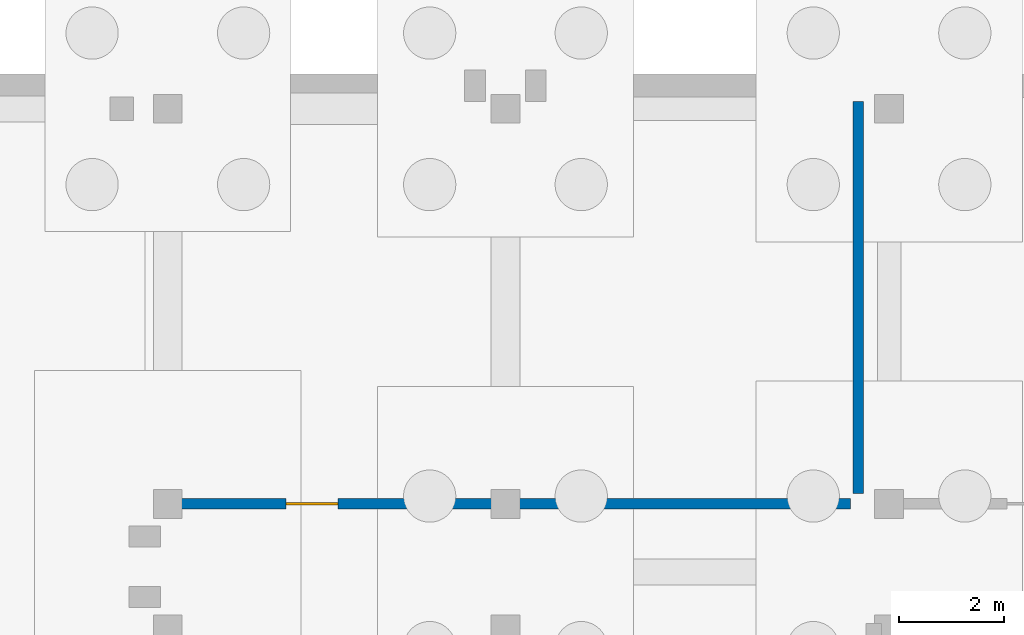
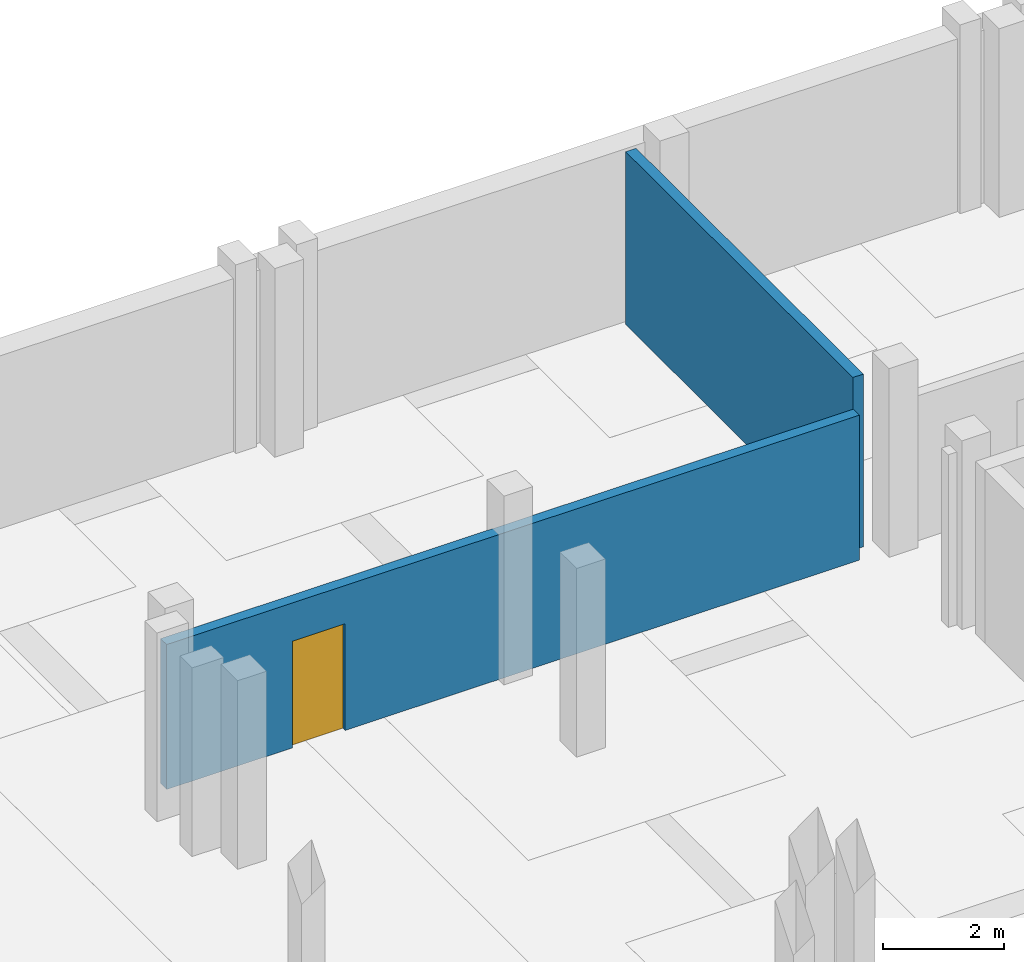
# One storey, part 25 of 38: 2 walls, 1 door, 1 opening.
"""IFC4 building model written with IfcOpenShell, lengths in metres."""

import ifcopenshell
import ifcopenshell.guid

model = None  # the IFC model being written
_history = None  # IfcOwnerHistory: only IFC2X3 demands one
_inside = {}  # id of a spatial element -> (the spatial element, [elements in it])
_under = {}  # id of a project, library or spatial element -> (it, [spatial elements below it])
_declared = {}  # id of a project -> (the project, [libraries it declares])
_typed = {}  # id of a type object -> (the type object, [elements of that type])
_made_of = {}  # id of a material, layer set ... -> (it, [elements and type objects made of it])


def new_model(schema):
    """Start an empty IFC model of exactly this schema.

    Asked for "IFC4X3", IfcOpenShell would pick the latest addendum, in which some entities
    have other attributes; the version numbers below select the first issue.
    IFC2X3 requires an IfcOwnerHistory on every rooted entity: one is made here for all.
    """
    global model, _history
    if schema == "IFC4X3":
        model = ifcopenshell.file(schema_version=(4, 3, 0, 0))
    else:
        model = ifcopenshell.file(schema=schema)
    _inside.clear()
    _under.clear()
    _declared.clear()
    _typed.clear()
    _made_of.clear()
    _history = None
    if model.schema == "IFC2X3":
        org = make("IfcOrganization", Name="unknown")
        user = make(
            "IfcPersonAndOrganization",
            ThePerson=make("IfcPerson", FamilyName="unknown"),
            TheOrganization=org,
        )
        app = make(
            "IfcApplication",
            ApplicationDeveloper=org,
            Version="unknown",
            ApplicationFullName="unknown",
            ApplicationIdentifier="unknown",
        )
        _history = make(
            "IfcOwnerHistory",
            OwningUser=user,
            OwningApplication=app,
            ChangeAction="ADDED",
            CreationDate=0,
        )
    return model


def make(cls, **values):
    """One entity of the class cls with the attributes given. An attribute that is None is left unset."""
    return model.create_entity(
        cls, **{name: value for name, value in values.items() if value is not None}
    )


def rooted(cls, **values):
    """An entity with a GlobalId (a new one), such as an element, a storey or a relation."""
    return make(cls, GlobalId=ifcopenshell.guid.new(), OwnerHistory=_history, **values)


def si_unit(unit_type, name, prefix=None):
    """IfcSIUnit, for example si_unit("LENGTHUNIT", "METRE", prefix="MILLI")."""
    return make("IfcSIUnit", UnitType=unit_type, Prefix=prefix, Name=name)


def assignment(units):
    """IfcUnitAssignment: the units of a project."""
    return None if units is None else make("IfcUnitAssignment", Units=units)


def point(xyz):
    """IfcCartesianPoint."""
    return None if xyz is None else make("IfcCartesianPoint", Coordinates=xyz)


def direction(xyz):
    """IfcDirection."""
    return None if xyz is None else make("IfcDirection", DirectionRatios=xyz)


def frame(location, z_axis=None, x_axis=None):
    """IfcAxis2Placement3D, a coordinate frame: its origin and axes. An axis left out is left unset."""
    return make(
        "IfcAxis2Placement3D",
        Location=point(location),
        Axis=direction(z_axis),
        RefDirection=direction(x_axis),
    )


def frame_2d(location, x_axis=None):
    """IfcAxis2Placement2D, a coordinate frame in the plane: its origin and x axis."""
    return make(
        "IfcAxis2Placement2D", Location=point(location), RefDirection=direction(x_axis)
    )


def origin():
    """The frame at (0, 0, 0) with its axes left unset."""
    return frame((0.0, 0.0, 0.0))


def place(relative_to, where):
    """IfcLocalPlacement: puts the frame where relative to a parent placement (None: the world)."""
    return make(
        "IfcLocalPlacement", PlacementRelTo=relative_to, RelativePlacement=where
    )


def context(
    kind, dimensions, precision=None, world=None, true_north=None, identifier=None
):
    """IfcGeometricRepresentationContext, for example the 3D "Model" context."""
    return make(
        "IfcGeometricRepresentationContext",
        ContextIdentifier=identifier,
        ContextType=kind,
        CoordinateSpaceDimension=dimensions,
        Precision=precision,
        WorldCoordinateSystem=world,
        TrueNorth=true_north,
    )


def subcontext(parent, identifier, kind, view, scale=None):
    """IfcGeometricRepresentationSubContext, for example "Body" below "Model"."""
    return make(
        "IfcGeometricRepresentationSubContext",
        ContextIdentifier=identifier,
        ContextType=kind,
        ParentContext=parent,
        TargetScale=scale,
        TargetView=view,
    )


def project(units=None, contexts=None):
    """IfcProject with its units and contexts."""
    return rooted(
        "IfcProject",
        Name="project",
        RepresentationContexts=contexts,
        UnitsInContext=assignment(units),
    )


def spatial(cls, under=None, at=None, **own):
    """A site, building, storey or space (cls), placed at a placement, below another one or the project."""
    s = rooted(cls, ObjectPlacement=at, **own)
    if under is not None:
        _under.setdefault(under.id(), (under, []))[1].append(s)
    return s


def profile(cls, at=None, kind="AREA", **sizes):
    """A parametric profile (cls). Its sizes go by their IFC names, for example OverallWidth=200.0."""
    return make(cls, ProfileType=kind, Position=at, **sizes)


def rectangle(**sizes):
    """IfcRectangleProfileDef."""
    return profile("IfcRectangleProfileDef", **sizes)


def extrude(swept, where, along, depth):
    """IfcExtrudedAreaSolid: the profile swept, set in the frame where, extruded along a direction by depth."""
    return make(
        "IfcExtrudedAreaSolid",
        SweptArea=swept,
        Position=where,
        ExtrudedDirection=direction(along),
        Depth=depth,
    )


def shape(context_of_items, identifier, shape_type, items):
    """IfcShapeRepresentation: the items that make up one representation, for example the "Body"."""
    return make(
        "IfcShapeRepresentation",
        ContextOfItems=context_of_items,
        RepresentationIdentifier=identifier,
        RepresentationType=shape_type,
        Items=items,
    )


def material(Name=None, Category=None):
    """IfcMaterial."""
    return make("IfcMaterial", Name=Name, Category=Category)


def layer(
    of_material, thickness, ventilated=None, Name=None, Category=None, Priority=None
):
    """IfcMaterialLayer: one layer of a wall or slab, of a material (None: an air gap)."""
    return make(
        "IfcMaterialLayer",
        Material=of_material,
        LayerThickness=thickness,
        IsVentilated=ventilated,
        Name=Name,
        Category=Category,
        Priority=Priority,
    )


def layer_set(layers, Name=None):
    """IfcMaterialLayerSet."""
    return make("IfcMaterialLayerSet", MaterialLayers=layers, LayerSetName=Name)


def made_of(thing, what):
    """Note that an element or type object is made of a material, layer set ...; save() writes the relation."""
    if what is not None:
        _made_of.setdefault(what.id(), (what, []))[1].append(thing)
    return thing


def type_object(cls, material=None, **own):
    """A type object (cls), such as IfcWallType, which elements share."""
    return made_of(rooted(cls, **own), material)


def element(
    cls,
    number,
    at=None,
    inside=None,
    cuts=None,
    type_object=None,
    material=None,
    context=None,
    identifier="Body",
    shape_type=None,
    held_by="IfcProductDefinitionShape",
    body=None,
    shapes=None,
    **own,
):
    """One element of the class cls, such as IfcWall. Its Tag is "e" and its number.

    at: its placement. inside: the storey or other place that contains it. cuts: it is an
    opening in that element (IfcRelVoidsElement). A single representation is given by context,
    identifier, shape_type and body (its items); several are given by shapes. held_by: the class
    of the entity that holds the representations. save() writes the other relations.
    """
    e = rooted(cls, Tag="e%d" % number, ObjectPlacement=at, **own)
    if body is not None:
        shapes = [shape(context, identifier, shape_type, body)]
    if shapes is not None:
        e.Representation = make(held_by, Representations=shapes)
    if inside is not None:
        _inside.setdefault(inside.id(), (inside, []))[1].append(e)
    if cuts is not None:
        rooted(
            "IfcRelVoidsElement", RelatingBuildingElement=cuts, RelatedOpeningElement=e
        )
    if type_object is not None:
        _typed.setdefault(type_object.id(), (type_object, []))[1].append(e)
    return made_of(e, material)


def fill(opening, filler):
    """IfcRelFillsElement: the door or window that sits in an opening."""
    return rooted(
        "IfcRelFillsElement",
        RelatingOpeningElement=opening,
        RelatedBuildingElement=filler,
    )


def aggregate(whole, parts):
    """IfcRelAggregates: a whole, such as a stair, and the parts it consists of."""
    return rooted("IfcRelAggregates", RelatingObject=whole, RelatedObjects=parts)


def save(model, path):
    """Write the relations noted so far, then the file.

    IfcRelAggregates (storeys below a building ...), IfcRelContainedInSpatialStructure (elements
    in a storey), IfcRelDefinesByType, IfcRelAssociatesMaterial and IfcRelDeclares: one each for
    every whole, place, type object, material and project.
    """
    for whole, parts in _under.values():
        aggregate(whole, parts)
    for where, things in _inside.values():
        rooted(
            "IfcRelContainedInSpatialStructure",
            RelatedElements=things,
            RelatingStructure=where,
        )
    for kind, things in _typed.values():
        rooted("IfcRelDefinesByType", RelatedObjects=things, RelatingType=kind)
    for what, things in _made_of.values():
        rooted("IfcRelAssociatesMaterial", RelatedObjects=things, RelatingMaterial=what)
    for by, libraries in _declared.values():
        rooted("IfcRelDeclares", RelatingContext=by, RelatedDefinitions=libraries)
    model.write(path)


model = new_model("IFC4")

# Units and contexts
model_context = context("Model", 3, precision=1e-05, world=origin(), true_north=direction((0.0, 1.0)))
body_context = subcontext(model_context, "Body", "Model", "MODEL_VIEW")
ifc_project = project(units=[si_unit("LENGTHUNIT", "METRE"), si_unit("AREAUNIT", "SQUARE_METRE"), si_unit("VOLUMEUNIT", "CUBIC_METRE"), si_unit("PLANEANGLEUNIT", "RADIAN"), si_unit("MASSUNIT", "GRAM", prefix="KILO")], contexts=[model_context])

# Site, building, storey
site_placement = place(None, origin())
site = spatial("IfcSite", under=ifc_project, at=site_placement, CompositionType="ELEMENT")
building_placement = place(site_placement, origin())
building = spatial("IfcBuilding", under=site, at=building_placement, Name="Zavelmont Quarter", CompositionType="ELEMENT")
storey_placement = place(building_placement, frame((0.0, 0.0, -3.800048828125)))
storey = spatial("IfcBuildingStorey", under=building, at=storey_placement, Name="B01", CompositionType="ELEMENT", Elevation=-3.800048828125)

# Wall, opening, door
ifc_material_1 = material(Name="Calcium-silicate blockwork and acoustic plaster", Category="masonry")
ifc_layer = layer(ifc_material_1, 0.199951171875)
ifc_layer_set = layer_set([ifc_layer], Name="Calcium-silicate blockwork and acoustic plaster")
wall_type = type_object("IfcWallType", Name="IW01", PredefinedType="PARTITIONING", material=ifc_layer_set)
wall_1_placement = place(storey_placement, frame((113.10009765625, 108.0, 0.0), z_axis=(0.0, 0.0, 1.0), x_axis=(1.0, 0.0, 0.0)))
wall_1 = element("IfcWall", 1, at=wall_1_placement, inside=storey, type_object=wall_type, Name="B01 Basement storage wall IW01", PredefinedType="PARTITIONING", context=body_context, shape_type="SweptSolid", body=[
    extrude(rectangle(XDim=13.199951171875, YDim=0.199951171875, at=frame_2d((6.60009765625, 0.0))), origin(), (0.0, 0.0, 1.0), 2.920166015625),
])
opening_placement = place(wall_1_placement, frame((2.39990234375, 0.0, 0.0)))
opening = element("IfcOpeningElement", 2, at=opening_placement, cuts=wall_1, Name="Opening DR07", PredefinedType="OPENING", context=body_context, shape_type="SweptSolid", body=[
    extrude(rectangle(XDim=1.0, YDim=2.14990234375, at=frame_2d((0.5, 1.074951171875))), frame((0.0, 0.11181640625, 0.0), z_axis=(0.0, -1.0, 0.0), x_axis=(1.0, 0.0, 0.0)), (0.0, 0.0, 1.0), 0.223876953125),
])
ifc_material_2 = material(Name="Solid-core oak fire leaf in steel frame", Category="steel")
door_type = type_object("IfcDoorType", Name="DR07", OperationType="NOTDEFINED", PredefinedType="DOOR", material=ifc_material_2)
door_placement = place(opening_placement, frame((1.0, 0.0, 0.0), z_axis=(0.0, 0.0, 1.0), x_axis=(-1.0, 0.0, 0.0)))
door = element("IfcDoor", 3, at=door_placement, inside=storey, type_object=door_type, Name="B01 door DR07", OperationType="SINGLE_SWING_RIGHT", OverallHeight=2.14990234375, OverallWidth=1.0, PredefinedType="DOOR", context=body_context, shape_type="SweptSolid", body=[
    extrude(rectangle(XDim=1.0, YDim=2.14990234375, at=frame_2d((0.5, 1.074951171875))), frame((0.0, 0.02490234375, 0.0), z_axis=(0.0, -1.0, 0.0), x_axis=(1.0, 0.0, 0.0)), (0.0, 0.0, 1.0), 0.050048828125),
])
fill(opening, door)

# Wall
wall_2_placement = place(storey_placement, frame((126.449951171875, 108.199951171875, 0.0), z_axis=(0.0, 0.0, 1.0), x_axis=(0.0, 1.0, 0.0)))
element("IfcWall", 4, at=wall_2_placement, inside=storey, type_object=wall_type, Name="B01 Interior partition IW01", PredefinedType="PARTITIONING", context=body_context, shape_type="SweptSolid", body=[
    extrude(rectangle(XDim=7.5, YDim=0.199951171875, at=frame_2d((3.75, 0.0))), origin(), (0.0, 0.0, 1.0), 3.47998046875),
])

save(model, "model.ifc")
